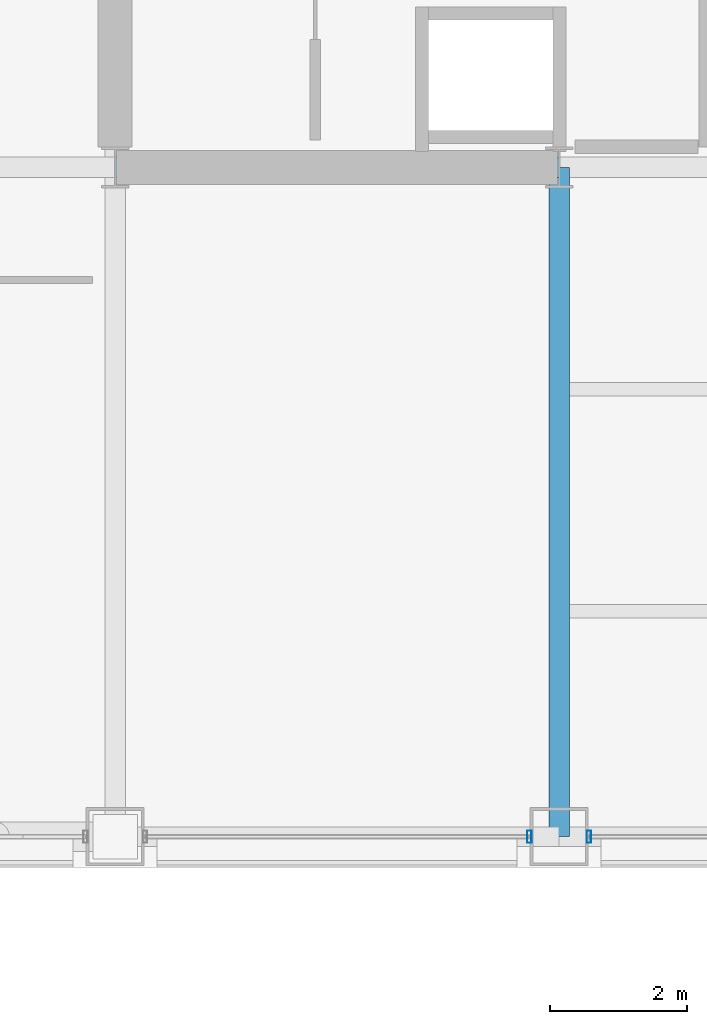
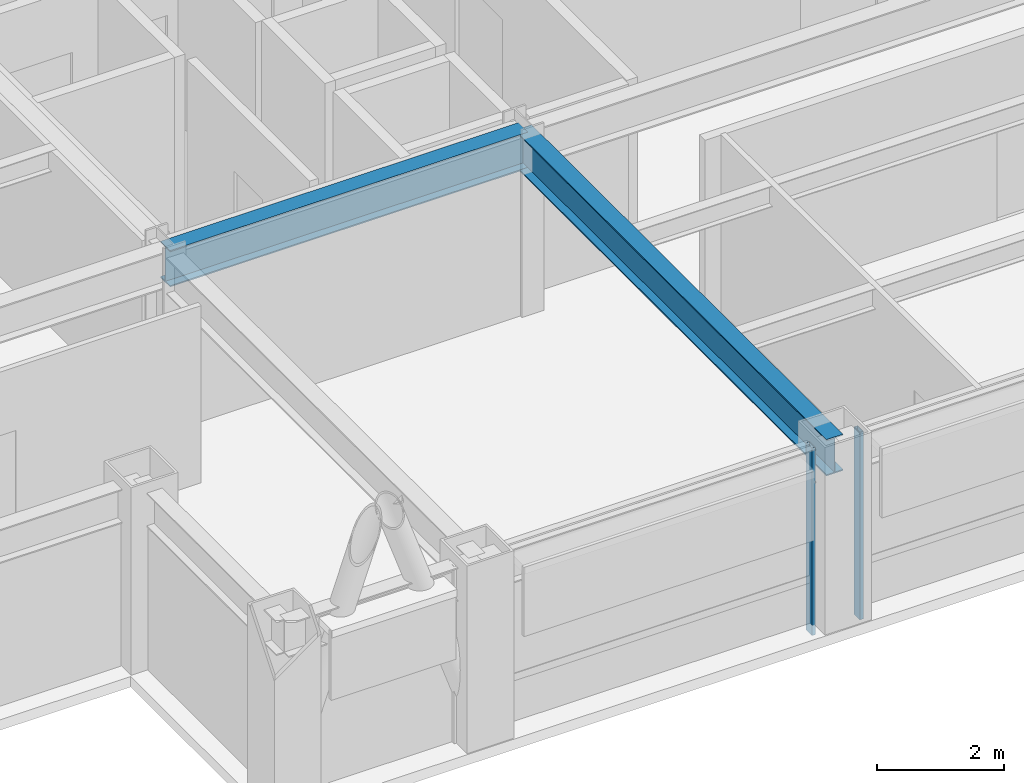
# One storey, part 5 of 32: 2 beams, 2 members, 2 elements without a shape of their own.
"""IFC4 building model written with IfcOpenShell, lengths in metres."""

from ifc_helpers import new_model, si_unit, direction, frame, origin, origin_2d, place, context, subcontext, project, spatial, hollow_rectangle, i_section, extrude, material, layer, layer_set, material_profile, profile_set, type_object, element, aggregate, save


model = new_model("IFC4")

# Units and contexts
model_context = context("Model", 3, precision=1e-05, world=origin(), true_north=direction((0.0, 1.0)))
body_context = subcontext(model_context, "Body", "Model", "MODEL_VIEW")
ifc_project = project(units=[si_unit("LENGTHUNIT", "METRE"), si_unit("AREAUNIT", "SQUARE_METRE"), si_unit("VOLUMEUNIT", "CUBIC_METRE"), si_unit("PLANEANGLEUNIT", "RADIAN"), si_unit("MASSUNIT", "GRAM", prefix="KILO")], contexts=[model_context])

# Site, building, storey
site_placement = place(None, origin())
site = spatial("IfcSite", under=ifc_project, at=site_placement, CompositionType="ELEMENT")
building_placement = place(site_placement, origin())
building = spatial("IfcBuilding", under=site, at=building_placement, Name="Brelmoor Portico Tower", CompositionType="ELEMENT")
storey_placement = place(building_placement, frame((0.0, 0.0, 109.800048828125)))
storey = spatial("IfcBuildingStorey", under=building, at=storey_placement, Name="L28", CompositionType="ELEMENT", Elevation=109.800048828125)

# Beams
ifc_material_1 = material(Name="Steel Q355B", Category="steel")
ifc_material_profile_1 = material_profile(ifc_material_1, i_section(OverallWidth=0.300048828125, OverallDepth=0.699951171875, WebThickness=0.012939453125, FlangeThickness=0.02392578125, at=origin_2d()), Name="HN 700x300x13x24")
ifc_profile_set_1 = profile_set([ifc_material_profile_1], Name="Steel Q355B")
beam_type = type_object("IfcBeamType", Name="BM-PG-700", PredefinedType="BEAM", material=ifc_profile_set_1)
beam_1_placement = place(storey_placement, frame((-8.050048828125, -19.550048828125, 3.050048828125), z_axis=(0.0, 1.0, 0.0), x_axis=(-1.0, 0.0, 0.0)))
element("IfcBeam", 1, at=beam_1_placement, inside=storey, type_object=beam_type, Name="L28 Primary Floor Girder PG-05", PredefinedType="BEAM", context=body_context, shape_type="SweptSolid", body=[
    extrude(i_section(OverallWidth=0.300048828125, OverallDepth=0.699951171875, WebThickness=0.012939453125, FlangeThickness=0.02392578125, at=origin_2d()), origin(), (0.0, 0.0, 1.0), 9.800048828125),
])
beam_2_placement = place(storey_placement, frame((-14.550048828125, -9.75, 3.050048828125), z_axis=(1.0, 0.0, 0.0), x_axis=(0.0, 1.0, 0.0)))
element("IfcBeam", 2, at=beam_2_placement, inside=storey, type_object=beam_type, Name="L28 Primary Floor Girder PG-15", PredefinedType="BEAM", context=body_context, shape_type="SweptSolid", body=[
    extrude(i_section(OverallWidth=0.300048828125, OverallDepth=0.699951171875, WebThickness=0.012939453125, FlangeThickness=0.02392578125, at=origin_2d()), origin(), (0.0, 0.0, 1.0), 6.5),
])

# Curtain wall, member
ifc_material_2 = material(Name="Anodised Aluminium Alloy 6063-T6", Category="aluminium")
ifc_layer = layer(ifc_material_2, 0.179931640625)
ifc_layer_set = layer_set([ifc_layer], Name="Anodised Aluminium Alloy 6063-T6")
curtain_wall_type = type_object("IfcCurtainWallType", Name="CW-TOWER-Z2", PredefinedType="NOTDEFINED", material=ifc_layer_set)
curtain_wall_1_placement = place(storey_placement, origin())
curtain_wall_1 = element("IfcCurtainWall", 3, at=curtain_wall_1_placement, inside=storey, type_object=curtain_wall_type, Name="L28 Curtain Wall CW-L28-1L-2", PredefinedType="NOTDEFINED")
ifc_material_profile_2 = material_profile(ifc_material_2, hollow_rectangle(XDim=0.06494140625, YDim=0.179931640625, WallThickness=0.00390625, at=origin_2d()), Name="ALU MULLION 65x180")
ifc_profile_set_2 = profile_set([ifc_material_profile_2], Name="Anodised Aluminium Alloy 6063-T6")
member_type = type_object("IfcMemberType", Name="MB-CW-MULL-180", PredefinedType="MULLION", material=ifc_profile_set_2)
member_1_placement = place(storey_placement, frame((-8.485107421875, -19.550048828125, -0.199951171875), z_axis=(0.0, 0.0, 1.0), x_axis=(1.0, 0.0, 0.0)))
member_1 = element("IfcMember", 4, at=member_1_placement, type_object=member_type, Name="CW-L28-1L-2 Mullion 01", PredefinedType="MULLION", context=body_context, shape_type="SweptSolid", body=[
    extrude(hollow_rectangle(XDim=0.06494140625, YDim=0.179931640625, WallThickness=0.00390625, at=origin_2d()), origin(), (0.0, 0.0, 1.0), 3.599853515625),
])
aggregate(curtain_wall_1, [member_1])

curtain_wall_2_placement = place(storey_placement, origin())
curtain_wall_2 = element("IfcCurtainWall", 5, at=curtain_wall_2_placement, inside=storey, type_object=curtain_wall_type, Name="L28 Curtain Wall CW-L28-1L-3", PredefinedType="NOTDEFINED")
member_2_placement = place(storey_placement, frame((-7.614990234375, -19.550048828125, -0.199951171875), z_axis=(0.0, 0.0, 1.0), x_axis=(1.0, 0.0, 0.0)))
member_2 = element("IfcMember", 6, at=member_2_placement, type_object=member_type, Name="CW-L28-1L-3 Mullion 00", PredefinedType="MULLION", context=body_context, shape_type="SweptSolid", body=[
    extrude(hollow_rectangle(XDim=0.06494140625, YDim=0.179931640625, WallThickness=0.00390625, at=origin_2d()), origin(), (0.0, 0.0, 1.0), 3.599853515625),
])
aggregate(curtain_wall_2, [member_2])

save(model, "model.ifc")
